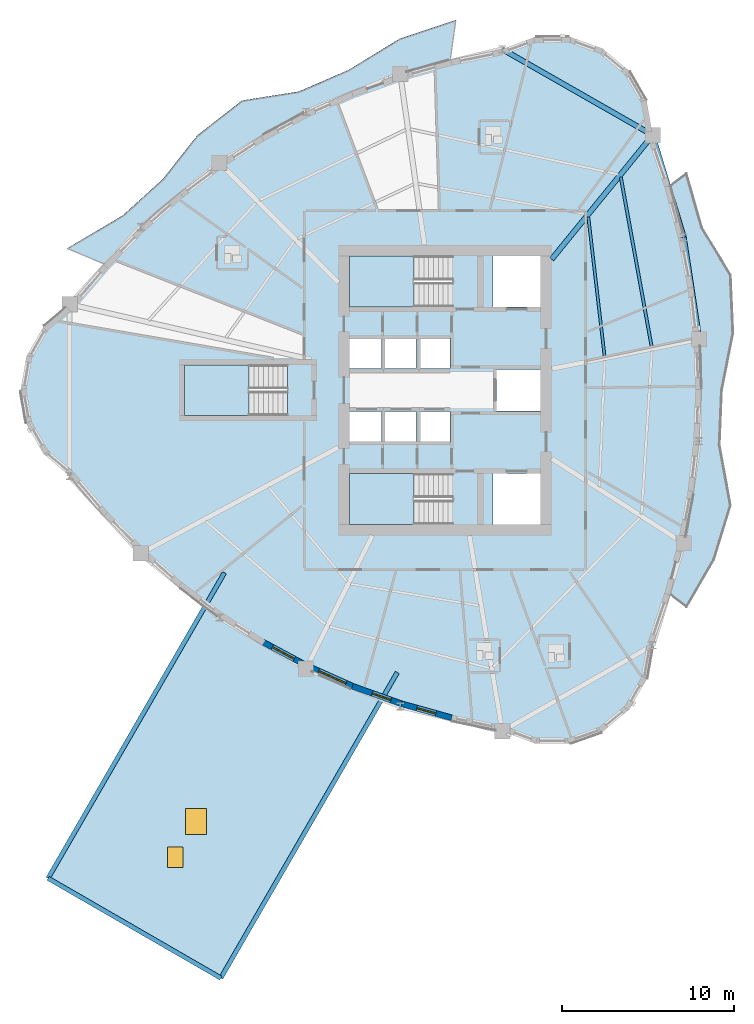
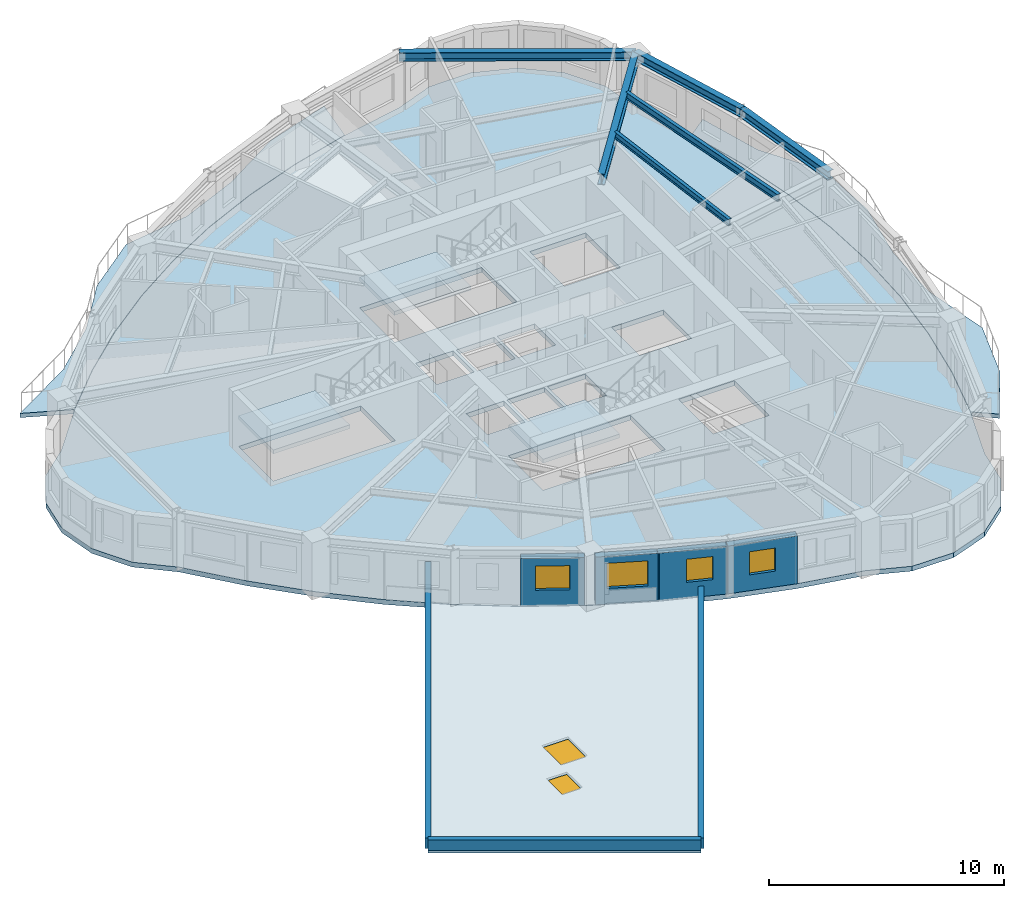
# One storey, part 2 of 14: 7 slabs, 7 walls, 6 beams, 6 windows, 6 openings, 3 elements without a shape of their own.
"""IFC4 building model written with IfcOpenShell, lengths in metres."""

from ifc_helpers import new_model, si_unit, direction, frame, frame_2d, origin, origin_2d, place, context, subcontext, project, spatial, polyline, rectangle, i_section, outline, extrude, source, transform, mapped, material, layer, layer_set, material_profile, profile_set, type_object, element, fill, aggregate, save


model = new_model("IFC4")

# Units and contexts
model_context = context("Model", 3, precision=1e-05, world=origin(), true_north=direction((0.0, 1.0)))
body_context = subcontext(model_context, "Body", "Model", "MODEL_VIEW")
ifc_project = project(units=[si_unit("LENGTHUNIT", "METRE"), si_unit("AREAUNIT", "SQUARE_METRE"), si_unit("VOLUMEUNIT", "CUBIC_METRE"), si_unit("PLANEANGLEUNIT", "RADIAN"), si_unit("MASSUNIT", "GRAM", prefix="KILO")], contexts=[model_context])

# Site, building, storey
site_placement = place(None, origin())
site = spatial("IfcSite", under=ifc_project, at=site_placement, CompositionType="ELEMENT")
building_placement = place(site_placement, origin())
building = spatial("IfcBuilding", under=site, at=building_placement, Name="Qafzar Sky-Pleat Residences", CompositionType="ELEMENT")
storey_placement = place(building_placement, frame((0.0, 0.0, 118.39990234375)))
storey = spatial("IfcBuildingStorey", under=building, at=storey_placement, Name="L35", CompositionType="ELEMENT", Elevation=118.39990234375)

# Beams
ifc_material_1 = material(Name="Steel S355", Category="steel")
ifc_material_profile_1 = material_profile(ifc_material_1, i_section(OverallWidth=0.300048828125, OverallDepth=0.449951171875, WebThickness=0.013916015625, FlangeThickness=0.02587890625, FilletRadius=0.027099609375, at=origin_2d()), Name="HEB 450")
ifc_profile_set_1 = profile_set([ifc_material_profile_1], Name="Steel S355")
beam_type_1 = type_object("IfcBeamType", Name="BM-SPAN-HEB450", PredefinedType="SPANDREL", material=ifc_profile_set_1)
shared_shape_1 = source(origin(), body_context, "Body", "SweptSolid", [
    extrude(i_section(OverallWidth=0.300048828125, OverallDepth=0.449951171875, WebThickness=0.013916015625, FlangeThickness=0.02587890625, FilletRadius=0.027099609375, at=origin_2d()), origin(), (0.0, 0.0, 1.0), 10.072265625),
])
beam_1_placement = place(storey_placement, frame((42.422607421875, 40.82763671875, 2.72314453125), z_axis=(-0.868308765909, 0.496024079099, 0.0), x_axis=(-0.496024079099, -0.868308765909, 0.0)))
element("IfcBeam", 1, at=beam_1_placement, inside=storey, type_object=beam_type_1, Name="L35 Perimeter Spandrel Beam 13", PredefinedType="SPANDREL", context=body_context, shape_type="MappedRepresentation", body=[
    mapped(shared_shape_1, transform((0.0, 0.0, 0.0), x_axis=(1.0, 0.0, 0.0), y_axis=(0.0, 1.0, 0.0), z_axis=(0.0, 0.0, 1.0), scale=1.0)),
])
shared_shape_2 = source(origin(), body_context, "Body", "SweptSolid", [
    extrude(i_section(OverallWidth=0.300048828125, OverallDepth=0.449951171875, WebThickness=0.013916015625, FlangeThickness=0.02587890625, FilletRadius=0.027099609375, at=origin_2d()), origin(), (0.0, 0.0, 1.0), 6.19921875),
])
beam_2_placement = place(storey_placement, frame((44.2255859375, 34.896484375, 2.72314453125), z_axis=(-0.290843469518, 0.956770649758, 0.0), x_axis=(-0.956770649758, -0.290843469518, 0.0)))
element("IfcBeam", 2, at=beam_2_placement, inside=storey, type_object=beam_type_1, Name="L35 Perimeter Spandrel Beam 12", PredefinedType="SPANDREL", context=body_context, shape_type="MappedRepresentation", body=[
    mapped(shared_shape_2, transform((0.0, 0.0, 0.0), x_axis=(1.0, 0.0, 0.0), y_axis=(0.0, 1.0, 0.0), z_axis=(0.0, 0.0, 1.0), scale=1.0)),
])
shared_shape_3 = source(origin(), body_context, "Body", "SweptSolid", [
    extrude(i_section(OverallWidth=0.300048828125, OverallDepth=0.449951171875, WebThickness=0.013916015625, FlangeThickness=0.02587890625, FilletRadius=0.027099609375, at=origin_2d()), origin(), (0.0, 0.0, 1.0), 5.9990234375),
])
beam_3_placement = place(storey_placement, frame((45.127197265625, 28.965576171875, 2.72314453125), z_axis=(-0.150292404852, 0.988641589781, 0.0), x_axis=(-0.988641589781, -0.150292404852, 0.0)))
element("IfcBeam", 3, at=beam_3_placement, inside=storey, type_object=beam_type_1, Name="L35 Perimeter Spandrel Beam 11", PredefinedType="SPANDREL", context=body_context, shape_type="MappedRepresentation", body=[
    mapped(shared_shape_3, transform((0.0, 0.0, 0.0), x_axis=(1.0, 0.0, 0.0), y_axis=(0.0, 1.0, 0.0), z_axis=(0.0, 0.0, 1.0), scale=1.0)),
])
ifc_material_profile_2 = material_profile(ifc_material_1, i_section(OverallWidth=0.300048828125, OverallDepth=0.550048828125, WebThickness=0.014892578125, FlangeThickness=0.029052734375, FilletRadius=0.027099609375, at=origin_2d()), Name="HEB 550")
ifc_profile_set_2 = profile_set([ifc_material_profile_2], Name="Steel S355")
beam_type_2 = type_object("IfcBeamType", Name="BM-GIRD-HEB550", PredefinedType="BEAM", material=ifc_profile_set_2)
shared_shape_4 = source(origin(), body_context, "Body", "SweptSolid", [
    extrude(i_section(OverallWidth=0.300048828125, OverallDepth=0.550048828125, WebThickness=0.014892578125, FlangeThickness=0.029052734375, FilletRadius=0.027099609375, at=origin_2d()), origin(), (0.0, 0.0, 1.0), 9.301025390625),
])
beam_4_placement = place(storey_placement, frame((42.422607421875, 40.82763671875, 2.673095703125), z_axis=(-0.631387785831, -0.77546725521, 0.0), x_axis=(0.77546725521, -0.631387785831, 0.0)))
element("IfcBeam", 4, at=beam_4_placement, inside=storey, type_object=beam_type_2, Name="L35 Radial Floor Girder 13", PredefinedType="BEAM", context=body_context, shape_type="MappedRepresentation", body=[
    mapped(shared_shape_4, transform((0.0, 0.0, 0.0), x_axis=(1.0, 0.0, 0.0), y_axis=(0.0, 1.0, 0.0), z_axis=(0.0, 0.0, 1.0), scale=1.0)),
])
ifc_material_profile_3 = material_profile(ifc_material_1, i_section(OverallWidth=0.169921875, OverallDepth=0.360107421875, WebThickness=0.008056640625, FlangeThickness=0.0126953125, FilletRadius=0.01806640625, at=origin_2d()), Name="IPE 360")
ifc_profile_set_3 = profile_set([ifc_material_profile_3], Name="Steel S355")
beam_type_3 = type_object("IfcBeamType", Name="BM-JST-IPE360", PredefinedType="JOIST", material=ifc_profile_set_3)
shared_shape_5 = source(origin(), body_context, "Body", "SweptSolid", [
    extrude(i_section(OverallWidth=0.169921875, OverallDepth=0.360107421875, WebThickness=0.008056640625, FlangeThickness=0.0126953125, FilletRadius=0.01806640625, at=origin_2d()), origin(), (0.0, 0.0, 1.0), 10.000732421875),
])
beam_5_placement = place(storey_placement, frame((42.3583984375, 28.547607421875, 2.76806640625), z_axis=(-0.179087371555, 0.983833173536, 0.0), x_axis=(-0.983833173536, -0.179087371555, 0.0)))
element("IfcBeam", 5, at=beam_5_placement, inside=storey, type_object=beam_type_3, Name="L35 Outer Secondary Floor Joist 6", PredefinedType="JOIST", context=body_context, shape_type="MappedRepresentation", body=[
    mapped(shared_shape_5, transform((0.0, 0.0, 0.0), x_axis=(1.0, 0.0, 0.0), y_axis=(0.0, 1.0, 0.0), z_axis=(0.0, 0.0, 1.0), scale=1.0)),
])
ifc_material_profile_4 = material_profile(ifc_material_1, i_section(OverallWidth=0.159912109375, OverallDepth=0.330078125, WebThickness=0.007568359375, FlangeThickness=0.011474609375, FilletRadius=0.01806640625, at=origin_2d()), Name="IPE 330")
ifc_profile_set_4 = profile_set([ifc_material_profile_4], Name="Steel S355")
beam_type_4 = type_object("IfcBeamType", Name="BM-JST-IPE330", PredefinedType="JOIST", material=ifc_profile_set_4)
shared_shape_6 = source(origin(), body_context, "Body", "SweptSolid", [
    extrude(i_section(OverallWidth=0.159912109375, OverallDepth=0.330078125, WebThickness=0.007568359375, FlangeThickness=0.011474609375, FilletRadius=0.01806640625, at=origin_2d()), origin(), (0.0, 0.0, 1.0), 8.134033203125),
])
beam_6_placement = place(storey_placement, frame((39.6220703125, 27.998046875, 2.783203125), z_axis=(-0.115855529882, 0.993266075226, 0.0), x_axis=(-0.993266075226, -0.115855529882, 0.0)))
element("IfcBeam", 6, at=beam_6_placement, inside=storey, type_object=beam_type_4, Name="L35 Inner Secondary Floor Joist 6", PredefinedType="JOIST", context=body_context, shape_type="MappedRepresentation", body=[
    mapped(shared_shape_6, transform((0.0, 0.0, 0.0), x_axis=(1.0, 0.0, 0.0), y_axis=(0.0, 1.0, 0.0), z_axis=(0.0, 0.0, 1.0), scale=1.0)),
])

# Slabs
ifc_material_2 = material(Name="Concrete C40/50", Category="concrete")
ifc_layer_1 = layer(ifc_material_2, 0.219970703125)
ifc_layer_set_1 = layer_set([ifc_layer_1], Name="Concrete C40/50")
slab_type_1 = type_object("IfcSlabType", Name="SLAB-BAL-220", PredefinedType="USERDEFINED", material=ifc_layer_set_1)
slab_1_placement = place(storey_placement, frame((0.0, 0.0, -0.219970703125)))
element("IfcSlab", 7, at=slab_1_placement, inside=storey, type_object=slab_type_1, Name="L35 Pleated Stone Balcony 1", ObjectType="BALCONY", PredefinedType="USERDEFINED", context=body_context, shape_type="SweptSolid", body=[
    extrude(outline(polyline([(44.236083984375, 17.09765625), (44.80029296875, 20.06494140625), (45.138916015625, 23.032470703125), (45.251708984375, 26.0), (45.138916015625, 28.967529296875), (44.80029296875, 31.93505859375), (44.236083984375, 34.90234375), (43.4462890625, 37.869384765625), (44.427978515625, 38.623779296875), (45.321533203125, 35.49755859375), (46.998046875, 32.71142578125), (47.14697265625, 29.315185546875), (46.48974609375, 26.0), (46.35888671875, 22.8212890625), (46.998046875, 19.28857421875), (46.02294921875, 16.117919921875), (44.427978515625, 13.376220703125), (43.4462890625, 14.130615234375), (44.236083984375, 17.09765625)])), origin(), (0.0, 0.0, 1.0), 0.219970703125),
])
slab_2_placement = place(storey_placement, frame((0.0, 0.0, -0.219970703125)))
element("IfcSlab", 8, at=slab_2_placement, inside=storey, type_object=slab_type_1, Name="L35 Pleated Stone Balcony 2", ObjectType="BALCONY", PredefinedType="USERDEFINED", context=body_context, shape_type="SweptSolid", body=[
    extrude(outline(polyline([(27.745361328125, 44.3994140625), (24.947021484375, 43.394287109375), (22.26123046875, 42.197509765625), (19.68798828125, 40.8095703125), (17.22802734375, 39.22998046875), (14.880859375, 37.459228515625), (12.646484375, 35.4970703125), (10.525390625, 33.343505859375), (8.376708984375, 34.24658203125), (11.59375, 36.148193359375), (13.948486328125, 38.273681640625), (15.94140625, 40.810546875), (18.54736328125, 42.842041015625), (21.847900390625, 43.364501953125), (24.73291015625, 44.613525390625), (27.717041015625, 46.43701171875), (30.9755859375, 47.521728515625), (30.656494140625, 45.212890625), (27.745361328125, 44.3994140625)])), origin(), (0.0, 0.0, 1.0), 0.219970703125),
])
ifc_layer_2 = layer(ifc_material_2, 0.25)
ifc_layer_set_2 = layer_set([ifc_layer_2], Name="Concrete C40/50")
slab_type_2 = type_object("IfcSlabType", Name="SLAB-FLR-250", PredefinedType="FLOOR", material=ifc_layer_set_2)
slab_3_placement = place(storey_placement, frame((0.0, 0.0, -0.25)))
element("IfcSlab", 9, at=slab_3_placement, inside=storey, type_object=slab_type_2, Name="L35 Structural Floor Slab", PredefinedType="FLOOR", context=body_context, shape_type="SweptSolid", body=[
    extrude(outline(polyline([(8.52880859375, 30.99609375), (7.0087890625, 29.700927734375), (6.018310546875, 27.967041015625), (5.674560546875, 26.0), (6.018310546875, 24.032958984375), (7.0087890625, 22.299072265625), (8.52880859375, 21.00390625), (10.536376953125, 18.660888671875), (12.65673828125, 16.50927734375), (14.889892578125, 14.548583984375), (17.235595703125, 12.779296875), (19.694091796875, 11.200927734375), (22.26513671875, 9.813720703125), (24.948974609375, 8.61767578125), (27.74560546875, 7.61279296875), (30.65478515625, 6.798828125), (33.6767578125, 6.17626953125), (35.57177734375, 5.46826171875), (37.5947265625, 5.45458984375), (39.49951171875, 6.13623046875), (41.05419921875, 7.4306640625), (42.069580078125, 9.180419921875), (42.422607421875, 11.17236328125), (43.436767578125, 14.137939453125), (44.2255859375, 17.103515625), (44.7890625, 20.06884765625), (45.127197265625, 23.034423828125), (45.23974609375, 26.0), (45.127197265625, 28.965576171875), (44.7890625, 31.93115234375), (44.2255859375, 34.896484375), (43.436767578125, 37.862060546875), (42.422607421875, 40.82763671875), (42.069580078125, 42.819580078125), (41.05419921875, 44.5693359375), (39.49951171875, 45.86376953125), (37.5947265625, 46.54541015625), (35.57177734375, 46.53173828125), (33.6767578125, 45.82373046875), (30.65478515625, 45.201171875), (27.74560546875, 44.38720703125), (24.948974609375, 43.38232421875), (22.26513671875, 42.186279296875), (19.694091796875, 40.799072265625), (17.235595703125, 39.220703125), (14.889892578125, 37.451416015625), (12.65673828125, 35.49072265625), (10.536376953125, 33.339111328125), (8.52880859375, 30.99609375)]), holes=[polyline([(30.797119140625, 21.14990234375), (24.800048828125, 21.14990234375), (24.800048828125, 18.199951171875), (30.797119140625, 18.199951171875), (30.797119140625, 21.14990234375)]), polyline([(30.797119140625, 33.800048828125), (24.800048828125, 33.800048828125), (24.800048828125, 30.85009765625), (30.797119140625, 30.85009765625), (30.797119140625, 33.800048828125)]), polyline([(21.197021484375, 27.47509765625), (15.199951171875, 27.47509765625), (15.199951171875, 24.52490234375), (21.197021484375, 24.52490234375), (21.197021484375, 27.47509765625)]), polyline([(24.800048828125, 22.949951171875), (26.64990234375, 22.949951171875), (26.64990234375, 24.75), (24.800048828125, 24.75), (24.800048828125, 22.949951171875)]), polyline([(26.800048828125, 22.949951171875), (28.64990234375, 22.949951171875), (28.64990234375, 24.75), (26.800048828125, 24.75), (26.800048828125, 22.949951171875)]), polyline([(28.800048828125, 22.949951171875), (30.64990234375, 22.949951171875), (30.64990234375, 24.75), (28.800048828125, 24.75), (28.800048828125, 22.949951171875)]), polyline([(24.800048828125, 27.25), (26.64990234375, 27.25), (26.64990234375, 29.050048828125), (24.800048828125, 29.050048828125), (24.800048828125, 27.25)]), polyline([(26.800048828125, 27.25), (28.64990234375, 27.25), (28.64990234375, 29.050048828125), (26.800048828125, 29.050048828125), (26.800048828125, 27.25)]), polyline([(28.800048828125, 27.25), (30.64990234375, 27.25), (30.64990234375, 29.050048828125), (28.800048828125, 29.050048828125), (28.800048828125, 27.25)]), polyline([(33.14990234375, 18.199951171875), (35.89990234375, 18.199951171875), (35.89990234375, 21.14990234375), (33.14990234375, 21.14990234375), (33.14990234375, 18.199951171875)]), polyline([(33.14990234375, 30.85009765625), (35.89990234375, 30.85009765625), (35.89990234375, 33.800048828125), (33.14990234375, 33.800048828125), (33.14990234375, 30.85009765625)]), polyline([(33.35009765625, 24.800048828125), (35.89990234375, 24.800048828125), (35.89990234375, 27.199951171875), (33.35009765625, 27.199951171875), (33.35009765625, 24.800048828125)])]), origin(), (0.0, 0.0, 1.0), 0.25),
])

# Stair, slab
stair_type = type_object("IfcStairType", Name="STAIR-H320", PredefinedType="HALF_TURN_STAIR", material=ifc_material_2)
stair_1_placement = place(storey_placement, origin())
stair_1 = element("IfcStair", 10, at=stair_1_placement, inside=storey, type_object=stair_type, Name="L35 Protected Exit Stair ST1", PredefinedType="HALF_TURN_STAIR")
ifc_layer_3 = layer(ifc_material_2, 0.199951171875)
ifc_layer_set_3 = layer_set([ifc_layer_3], Name="Concrete C40/50")
slab_type_3 = type_object("IfcSlabType", Name="SLAB-LANDING-200", PredefinedType="LANDING", material=ifc_layer_set_3)
slab_4_placement = place(storey_placement, frame((0.0, 0.0, 1.400146484375)))
slab_4 = element("IfcSlab", 11, at=slab_4_placement, type_object=slab_type_3, Name="ST1 landing 1", PredefinedType="LANDING", context=body_context, shape_type="SweptSolid", body=[
    extrude(outline(polyline([(28.56005859375, 21.14990234375), (24.800048828125, 21.14990234375), (24.800048828125, 18.199951171875), (28.56005859375, 18.199951171875), (28.56005859375, 21.14990234375)])), origin(), (0.0, 0.0, 1.0), 0.199951171875),
])
aggregate(stair_1, [slab_4])

stair_2_placement = place(storey_placement, origin())
stair_2 = element("IfcStair", 12, at=stair_2_placement, inside=storey, type_object=stair_type, Name="L35 Protected Exit Stair ST2", PredefinedType="HALF_TURN_STAIR")
slab_5_placement = place(storey_placement, frame((0.0, 0.0, 1.400146484375)))
slab_5 = element("IfcSlab", 13, at=slab_5_placement, type_object=slab_type_3, Name="ST2 landing 1", PredefinedType="LANDING", context=body_context, shape_type="SweptSolid", body=[
    extrude(outline(polyline([(28.56005859375, 33.800048828125), (24.800048828125, 33.800048828125), (24.800048828125, 30.85009765625), (28.56005859375, 30.85009765625), (28.56005859375, 33.800048828125)])), origin(), (0.0, 0.0, 1.0), 0.199951171875),
])
aggregate(stair_2, [slab_5])

stair_3_placement = place(storey_placement, origin())
stair_3 = element("IfcStair", 14, at=stair_3_placement, inside=storey, type_object=stair_type, Name="L35 Protected Exit Stair ST3", PredefinedType="HALF_TURN_STAIR")
slab_6_placement = place(storey_placement, frame((0.0, 0.0, 1.400146484375)))
slab_6 = element("IfcSlab", 15, at=slab_6_placement, type_object=slab_type_3, Name="ST3 landing 1", PredefinedType="LANDING", context=body_context, shape_type="SweptSolid", body=[
    extrude(outline(polyline([(18.9599609375, 27.47509765625), (15.199951171875, 27.47509765625), (15.199951171875, 24.52490234375), (18.9599609375, 24.52490234375), (18.9599609375, 27.47509765625)])), origin(), (0.0, 0.0, 1.0), 0.199951171875),
])
aggregate(stair_3, [slab_6])

# Slab, openings, windows
ifc_layer_4 = layer(ifc_material_2, 0.235107421875)
ifc_layer_set_4 = layer_set([ifc_layer_4], Name="Concrete C40/50")
slab_type_4 = type_object("IfcSlabType", Name="SLAB-ROOF-235", PredefinedType="ROOF", material=ifc_layer_set_4)
slab_7_placement = place(storey_placement, frame((0.0, 0.0, -0.23486328125)))
slab_7 = element("IfcSlab", 16, at=slab_7_placement, inside=storey, type_object=slab_type_4, Name="L35 SB-3 Weatherproof Roof Deck", PredefinedType="ROOF", context=body_context, shape_type="SweptSolid", body=[
    extrude(outline(polyline([(17.31787109375, -8.172607421875), (7.27197265625, -2.37255859375), (16.381103515625, 13.405029296875), (17.2265625, 12.76708984375), (17.2275390625, 12.7666015625), (19.685791015625, 11.188232421875), (19.68701171875, 11.187744140625), (22.258056640625, 9.800537109375), (22.259033203125, 9.800048828125), (24.94287109375, 8.60400390625), (24.94384765625, 8.603515625), (26.6494140625, 7.990478515625), (17.31787109375, -8.172607421875)])), origin(), (0.0, 0.0, 1.0), 0.23486328125),
])
opening_1_placement = place(slab_7_placement, frame((15.872314453125, 0.924072265625, -0.010009765625)))
opening_1 = element("IfcOpeningElement", 17, at=opening_1_placement, cuts=slab_7, Name="Opening RH-01", PredefinedType="OPENING", context=body_context, shape_type="SweptSolid", body=[
    extrude(rectangle(XDim=1.199951171875, YDim=1.5, at=origin_2d()), origin(), (0.0, 0.0, 1.0), 0.2548828125),
])
opening_2_placement = place(slab_7_placement, frame((14.67236328125, -1.154296875, -0.010009765625)))
opening_2 = element("IfcOpeningElement", 18, at=opening_2_placement, cuts=slab_7, Name="Opening RH-02", PredefinedType="OPENING", context=body_context, shape_type="SweptSolid", body=[
    extrude(rectangle(XDim=0.89990234375, YDim=1.199951171875, at=origin_2d()), origin(), (0.0, 0.0, 1.0), 0.2548828125),
])
ifc_material_3 = material(Name="Insulated safety glass roof hatch", Category="glass")
window_type_1 = type_object("IfcWindowType", Name="WIN-SKYLIGHT-1200", PartitioningType="SINGLE_PANEL", PredefinedType="SKYLIGHT", material=ifc_material_3)
window_1_placement = place(slab_7_placement, frame((15.872314453125, 0.924072265625, 0.184814453125)))
window_1 = element("IfcWindow", 19, at=window_1_placement, inside=storey, type_object=window_type_1, Name="L35 SB-3 Roof Maintenance Skylight Hatch", OverallHeight=1.5, OverallWidth=1.199951171875, PartitioningType="SINGLE_PANEL", PredefinedType="SKYLIGHT", context=body_context, shape_type="SweptSolid", body=[
    extrude(rectangle(XDim=1.199951171875, YDim=1.5, at=origin_2d()), origin(), (0.0, 0.0, 1.0), 0.050048828125),
])
fill(opening_1, window_1)
window_type_2 = type_object("IfcWindowType", Name="WIN-SKYLIGHT-900", PartitioningType="SINGLE_PANEL", PredefinedType="SKYLIGHT", material=ifc_material_3)
window_2_placement = place(slab_7_placement, frame((14.67236328125, -1.154296875, 0.184814453125)))
window_2 = element("IfcWindow", 20, at=window_2_placement, inside=storey, type_object=window_type_2, Name="L35 SB-3 Roof Inspection Skylight Hatch", OverallHeight=1.199951171875, OverallWidth=0.89990234375, PartitioningType="SINGLE_PANEL", PredefinedType="SKYLIGHT", context=body_context, shape_type="SweptSolid", body=[
    extrude(rectangle(XDim=0.89990234375, YDim=1.199951171875, at=origin_2d()), origin(), (0.0, 0.0, 1.0), 0.050048828125),
])
fill(opening_2, window_2)

# Walls
ifc_material_4 = material(Name="Precast concrete C40/50 with honed Riyadh limestone", Category="concrete")
ifc_layer_5 = layer(ifc_material_4, 0.260009765625)
ifc_layer_set_5 = layer_set([ifc_layer_5], Name="Precast concrete C40/50 with honed Riyadh limestone")
wall_type_1 = type_object("IfcWallType", Name="WALL-EXT-260", PredefinedType="PARAPET", material=ifc_layer_set_5)
wall_1_placement = place(storey_placement, frame((17.527099609375, 15.389892578125, 0.0), z_axis=(0.0, 0.0, 1.0), x_axis=(-0.499998939102, -0.866026016293, 0.0)))
element("IfcWall", 21, at=wall_1_placement, inside=storey, type_object=wall_type_1, Name="L35 SB-3 Roof Parapet 1", PredefinedType="PARAPET", context=body_context, shape_type="SweptSolid", body=[
    extrude(rectangle(XDim=20.51025390625, YDim=0.260009765625, at=frame_2d((10.255126953125, 0.0))), origin(), (0.0, 0.0, 1.0), 0.550048828125),
])
wall_2_placement = place(storey_placement, frame((7.27197265625, -2.37255859375, 0.0), z_axis=(0.0, 0.0, 1.0), x_axis=(0.86602366199, -0.500003016864, 0.0)))
element("IfcWall", 22, at=wall_2_placement, inside=storey, type_object=wall_type_1, Name="L35 SB-3 Roof Parapet 2", PredefinedType="PARAPET", context=body_context, shape_type="SweptSolid", body=[
    extrude(rectangle(XDim=11.60009765625, YDim=0.260009765625, at=frame_2d((5.800048828125, 0.0))), origin(), (0.0, 0.0, 1.0), 0.550048828125),
])
wall_3_placement = place(storey_placement, frame((17.31787109375, -8.172607421875, 0.0), z_axis=(0.0, 0.0, 1.0), x_axis=(0.499993784865, 0.866028992064, 0.0)))
element("IfcWall", 23, at=wall_3_placement, inside=storey, type_object=wall_type_1, Name="L35 SB-3 Roof Parapet 3", PredefinedType="PARAPET", context=body_context, shape_type="SweptSolid", body=[
    extrude(rectangle(XDim=20.510498046875, YDim=0.260009765625, at=frame_2d((10.25537109375, 0.0))), origin(), (0.0, 0.0, 1.0), 0.550048828125),
])

# Wall, opening, window
ifc_layer_6 = layer(ifc_material_4, 0.340087890625)
ifc_layer_set_6 = layer_set([ifc_layer_6], Name="Precast concrete C40/50 with honed Riyadh limestone")
wall_type_2 = type_object("IfcWallType", Name="WALL-EXT-340", PredefinedType="SOLIDWALL", material=ifc_layer_set_6)
wall_4_placement = place(storey_placement, frame((19.7412109375, 11.36865234375, 0.0), z_axis=(0.0, 0.0, 1.0), x_axis=(0.88007734826, -0.474830349788, 0.0)))
wall_4 = element("IfcWall", 24, at=wall_4_placement, inside=storey, type_object=wall_type_2, Name="L35 Limestone Facade Wall 12", PredefinedType="SOLIDWALL", context=body_context, shape_type="SweptSolid", body=[
    extrude(rectangle(XDim=2.729736328125, YDim=0.340087890625, at=frame_2d((1.36474609375, 0.0))), origin(), (0.0, 0.0, 1.0), 2.47998046875),
])
opening_3_placement = place(wall_4_placement, frame((0.644775390625, 0.0, 0.820068359375)))
opening_3 = element("IfcOpeningElement", 25, at=opening_3_placement, cuts=wall_4, Name="Opening WN-15", PredefinedType="OPENING", context=body_context, shape_type="SweptSolid", body=[
    extrude(rectangle(XDim=1.449951171875, YDim=1.25, at=frame_2d((0.72509765625, 0.625))), frame((0.0, 0.18017578125, 0.0), z_axis=(0.0, -1.0, 0.0), x_axis=(1.0, 0.0, 0.0)), (0.0, 0.0, 1.0), 0.360107421875),
])
ifc_material_5 = material(Name="Solar-control low-E glass in bronze aluminium frame", Category="glass")
window_type_3 = type_object("IfcWindowType", Name="WIN-15", PartitioningType="SINGLE_PANEL", PredefinedType="WINDOW", material=ifc_material_5)
shared_shape_7 = source(origin(), body_context, "Body", "SweptSolid", [
    extrude(rectangle(XDim=1.449951171875, YDim=1.25, at=frame_2d((0.72509765625, 0.625))), frame((0.0, 0.030029296875, 0.0), z_axis=(0.0, -1.0, 0.0), x_axis=(1.0, 0.0, 0.0)), (0.0, 0.0, 1.0), 0.06005859375),
])
window_3_placement = place(opening_3_placement, origin())
window_3 = element("IfcWindow", 26, at=window_3_placement, inside=storey, type_object=window_type_3, Name="L35 Punched Facade Window 12", OverallHeight=1.25, OverallWidth=1.449951171875, PartitioningType="SINGLE_PANEL", PredefinedType="WINDOW", context=body_context, shape_type="MappedRepresentation", body=[
    mapped(shared_shape_7, transform((0.0, 0.0, 0.0), x_axis=(1.0, 0.0, 0.0), y_axis=(0.0, 1.0, 0.0), z_axis=(0.0, 0.0, 1.0), scale=1.0)),
])
fill(opening_3, window_3)

wall_5_placement = place(storey_placement, frame((22.54443359375, 9.875244140625, 0.0), z_axis=(0.0, 0.0, 1.0), x_axis=(0.913404185574, -0.407053797153, 0.0)))
wall_5 = element("IfcWall", 27, at=wall_5_placement, inside=storey, type_object=wall_type_2, Name="L35 Limestone Facade Wall 13", PredefinedType="SOLIDWALL", context=body_context, shape_type="SweptSolid", body=[
    extrude(rectangle(XDim=2.746337890625, YDim=0.340087890625, at=frame_2d((1.373046875, 0.0))), origin(), (0.0, 0.0, 1.0), 2.47998046875),
])
opening_4_placement = place(wall_5_placement, frame((0.4931640625, 0.0, 0.820068359375)))
opening_4 = element("IfcOpeningElement", 28, at=opening_4_placement, cuts=wall_5, Name="Opening WN-14", PredefinedType="OPENING", context=body_context, shape_type="SweptSolid", body=[
    extrude(rectangle(XDim=1.75, YDim=1.300048828125, at=frame_2d((0.875, 0.64990234375))), frame((0.0, 0.18017578125, 0.0), z_axis=(0.0, -1.0, 0.0), x_axis=(1.0, 0.0, 0.0)), (0.0, 0.0, 1.0), 0.360107421875),
])
window_type_4 = type_object("IfcWindowType", Name="WIN-14", PartitioningType="DOUBLE_PANEL_VERTICAL", PredefinedType="WINDOW", material=ifc_material_5)
shared_shape_8 = source(origin(), body_context, "Body", "SweptSolid", [
    extrude(rectangle(XDim=1.75, YDim=1.300048828125, at=frame_2d((0.875, 0.64990234375))), frame((0.0, 0.030029296875, 0.0), z_axis=(0.0, -1.0, 0.0), x_axis=(1.0, 0.0, 0.0)), (0.0, 0.0, 1.0), 0.06005859375),
])
window_4_placement = place(opening_4_placement, origin())
window_4 = element("IfcWindow", 29, at=window_4_placement, inside=storey, type_object=window_type_4, Name="L35 Punched Facade Window 13", OverallHeight=1.300048828125, OverallWidth=1.75, PartitioningType="SINGLE_PANEL", PredefinedType="WINDOW", context=body_context, shape_type="MappedRepresentation", body=[
    mapped(shared_shape_8, transform((0.0, 0.0, 0.0), x_axis=(1.0, 0.0, 0.0), y_axis=(0.0, 1.0, 0.0), z_axis=(0.0, 0.0, 1.0), scale=1.0)),
])
fill(opening_4, window_4)

wall_6_placement = place(storey_placement, frame((24.970703125, 8.790283203125, 0.0), z_axis=(0.0, 0.0, 1.0), x_axis=(0.941086086789, -0.338167084814, 0.0)))
wall_6 = element("IfcWall", 30, at=wall_6_placement, inside=storey, type_object=wall_type_2, Name="L35 Limestone Facade Wall 14", PredefinedType="SOLIDWALL", context=body_context, shape_type="SweptSolid", body=[
    extrude(rectangle(XDim=2.989501953125, YDim=0.340087890625, at=frame_2d((1.49462890625, 0.0))), origin(), (0.0, 0.0, 1.0), 2.47998046875),
])
opening_5_placement = place(wall_6_placement, frame((1.222412109375, 0.0, 0.820068359375)))
opening_5 = element("IfcOpeningElement", 31, at=opening_5_placement, cuts=wall_6, Name="Opening WN-16", PredefinedType="OPENING", context=body_context, shape_type="SweptSolid", body=[
    extrude(rectangle(XDim=1.14990234375, YDim=1.199951171875, at=frame_2d((0.574951171875, 0.60009765625))), frame((0.0, 0.18017578125, 0.0), z_axis=(0.0, -1.0, 0.0), x_axis=(1.0, 0.0, 0.0)), (0.0, 0.0, 1.0), 0.360107421875),
])
window_type_5 = type_object("IfcWindowType", Name="WIN-16", PartitioningType="SINGLE_PANEL", PredefinedType="WINDOW", material=ifc_material_5)
shared_shape_9 = source(origin(), body_context, "Body", "SweptSolid", [
    extrude(rectangle(XDim=1.14990234375, YDim=1.199951171875, at=frame_2d((0.574951171875, 0.60009765625))), frame((0.0, 0.030029296875, 0.0), z_axis=(0.0, -1.0, 0.0), x_axis=(1.0, 0.0, 0.0)), (0.0, 0.0, 1.0), 0.06005859375),
])
window_5_placement = place(opening_5_placement, origin())
window_5 = element("IfcWindow", 32, at=window_5_placement, inside=storey, type_object=window_type_5, Name="L35 Punched Facade Window 14-2", OverallHeight=1.199951171875, OverallWidth=1.14990234375, PartitioningType="SINGLE_PANEL", PredefinedType="WINDOW", context=body_context, shape_type="MappedRepresentation", body=[
    mapped(shared_shape_9, transform((0.0, 0.0, 0.0), x_axis=(1.0, 0.0, 0.0), y_axis=(0.0, 1.0, 0.0), z_axis=(0.0, 0.0, 1.0), scale=1.0)),
])
fill(opening_5, window_5)

wall_7_placement = place(storey_placement, frame((27.810546875, 7.77099609375, 0.0), z_axis=(0.0, 0.0, 1.0), x_axis=(0.963039905189, -0.269358758934, 0.0)))
wall_7 = element("IfcWall", 33, at=wall_7_placement, inside=storey, type_object=wall_type_2, Name="L35 Limestone Facade Wall 15", PredefinedType="SOLIDWALL", context=body_context, shape_type="SweptSolid", body=[
    extrude(rectangle(XDim=3.0390625, YDim=0.340087890625, at=frame_2d((1.51953125, 0.0))), origin(), (0.0, 0.0, 1.0), 2.47998046875),
])
opening_6_placement = place(wall_7_placement, frame((0.9345703125, 0.0, 0.820068359375)))
opening_6 = element("IfcOpeningElement", 34, at=opening_6_placement, cuts=wall_7, Name="Opening WN-16", PredefinedType="OPENING", context=body_context, shape_type="SweptSolid", body=[
    extrude(rectangle(XDim=1.14990234375, YDim=1.199951171875, at=frame_2d((0.574951171875, 0.60009765625))), frame((0.0, 0.18017578125, 0.0), z_axis=(0.0, -1.0, 0.0), x_axis=(1.0, 0.0, 0.0)), (0.0, 0.0, 1.0), 0.360107421875),
])
window_6_placement = place(opening_6_placement, origin())
window_6 = element("IfcWindow", 35, at=window_6_placement, inside=storey, type_object=window_type_5, Name="L35 Punched Facade Window 15", OverallHeight=1.199951171875, OverallWidth=1.14990234375, PartitioningType="SINGLE_PANEL", PredefinedType="WINDOW", context=body_context, shape_type="MappedRepresentation", body=[
    mapped(shared_shape_9, transform((0.0, 0.0, 0.0), x_axis=(1.0, 0.0, 0.0), y_axis=(0.0, 1.0, 0.0), z_axis=(0.0, 0.0, 1.0), scale=1.0)),
])
fill(opening_6, window_6)

save(model, "model.ifc")
